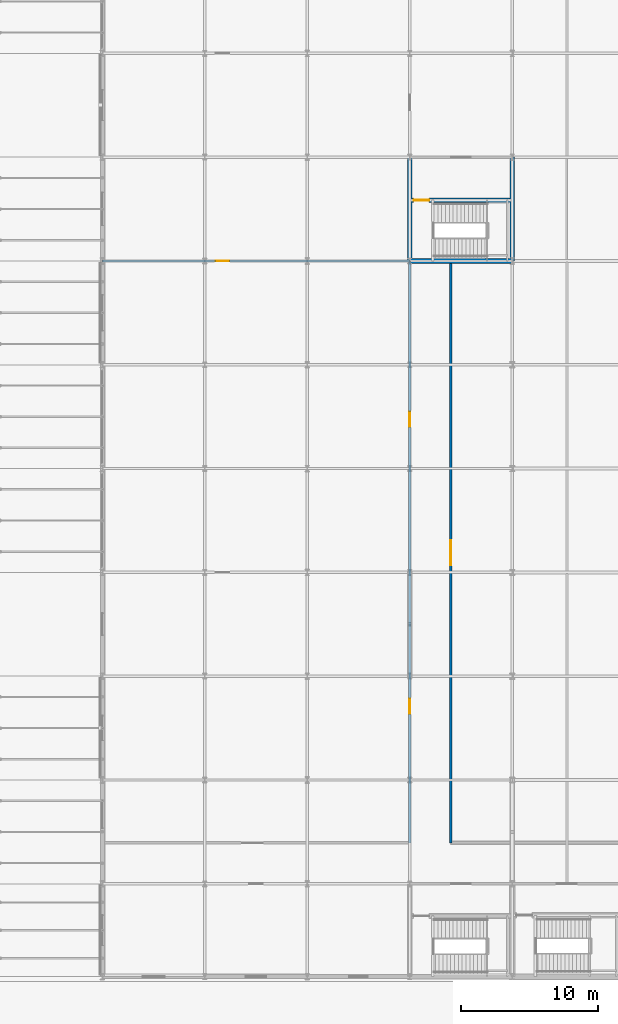
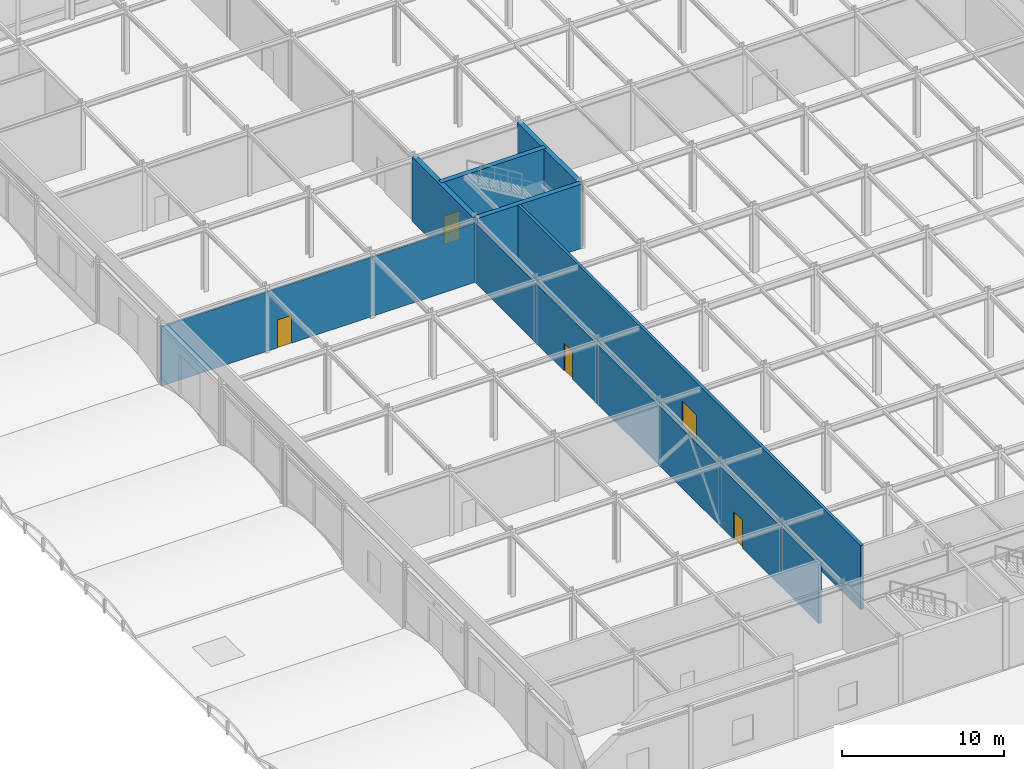
# One storey, part 96 of 113: 7 walls, 5 doors, 5 openings.
"""IFC4 building model written with IfcOpenShell, lengths in metres."""

import ifcopenshell
import ifcopenshell.guid

model = None  # the IFC model being written
_history = None  # IfcOwnerHistory: only IFC2X3 demands one
_inside = {}  # id of a spatial element -> (the spatial element, [elements in it])
_under = {}  # id of a project, library or spatial element -> (it, [spatial elements below it])
_declared = {}  # id of a project -> (the project, [libraries it declares])
_typed = {}  # id of a type object -> (the type object, [elements of that type])
_made_of = {}  # id of a material, layer set ... -> (it, [elements and type objects made of it])


def new_model(schema):
    """Start an empty IFC model of exactly this schema.

    Asked for "IFC4X3", IfcOpenShell would pick the latest addendum, in which some entities
    have other attributes; the version numbers below select the first issue.
    IFC2X3 requires an IfcOwnerHistory on every rooted entity: one is made here for all.
    """
    global model, _history
    if schema == "IFC4X3":
        model = ifcopenshell.file(schema_version=(4, 3, 0, 0))
    else:
        model = ifcopenshell.file(schema=schema)
    _inside.clear()
    _under.clear()
    _declared.clear()
    _typed.clear()
    _made_of.clear()
    _history = None
    if model.schema == "IFC2X3":
        org = make("IfcOrganization", Name="unknown")
        user = make(
            "IfcPersonAndOrganization",
            ThePerson=make("IfcPerson", FamilyName="unknown"),
            TheOrganization=org,
        )
        app = make(
            "IfcApplication",
            ApplicationDeveloper=org,
            Version="unknown",
            ApplicationFullName="unknown",
            ApplicationIdentifier="unknown",
        )
        _history = make(
            "IfcOwnerHistory",
            OwningUser=user,
            OwningApplication=app,
            ChangeAction="ADDED",
            CreationDate=0,
        )
    return model


def make(cls, **values):
    """One entity of the class cls with the attributes given. An attribute that is None is left unset."""
    return model.create_entity(
        cls, **{name: value for name, value in values.items() if value is not None}
    )


def rooted(cls, **values):
    """An entity with a GlobalId (a new one), such as an element, a storey or a relation."""
    return make(cls, GlobalId=ifcopenshell.guid.new(), OwnerHistory=_history, **values)


def si_unit(unit_type, name, prefix=None):
    """IfcSIUnit, for example si_unit("LENGTHUNIT", "METRE", prefix="MILLI")."""
    return make("IfcSIUnit", UnitType=unit_type, Prefix=prefix, Name=name)


def assignment(units):
    """IfcUnitAssignment: the units of a project."""
    return None if units is None else make("IfcUnitAssignment", Units=units)


def point(xyz):
    """IfcCartesianPoint."""
    return None if xyz is None else make("IfcCartesianPoint", Coordinates=xyz)


def direction(xyz):
    """IfcDirection."""
    return None if xyz is None else make("IfcDirection", DirectionRatios=xyz)


def frame(location, z_axis=None, x_axis=None):
    """IfcAxis2Placement3D, a coordinate frame: its origin and axes. An axis left out is left unset."""
    return make(
        "IfcAxis2Placement3D",
        Location=point(location),
        Axis=direction(z_axis),
        RefDirection=direction(x_axis),
    )


def frame_2d(location, x_axis=None):
    """IfcAxis2Placement2D, a coordinate frame in the plane: its origin and x axis."""
    return make(
        "IfcAxis2Placement2D", Location=point(location), RefDirection=direction(x_axis)
    )


def origin():
    """The frame at (0, 0, 0) with its axes left unset."""
    return frame((0.0, 0.0, 0.0))


def place(relative_to, where):
    """IfcLocalPlacement: puts the frame where relative to a parent placement (None: the world)."""
    return make(
        "IfcLocalPlacement", PlacementRelTo=relative_to, RelativePlacement=where
    )


def context(
    kind, dimensions, precision=None, world=None, true_north=None, identifier=None
):
    """IfcGeometricRepresentationContext, for example the 3D "Model" context."""
    return make(
        "IfcGeometricRepresentationContext",
        ContextIdentifier=identifier,
        ContextType=kind,
        CoordinateSpaceDimension=dimensions,
        Precision=precision,
        WorldCoordinateSystem=world,
        TrueNorth=true_north,
    )


def subcontext(parent, identifier, kind, view, scale=None):
    """IfcGeometricRepresentationSubContext, for example "Body" below "Model"."""
    return make(
        "IfcGeometricRepresentationSubContext",
        ContextIdentifier=identifier,
        ContextType=kind,
        ParentContext=parent,
        TargetScale=scale,
        TargetView=view,
    )


def project(units=None, contexts=None):
    """IfcProject with its units and contexts."""
    return rooted(
        "IfcProject",
        Name="project",
        RepresentationContexts=contexts,
        UnitsInContext=assignment(units),
    )


def spatial(cls, under=None, at=None, **own):
    """A site, building, storey or space (cls), placed at a placement, below another one or the project."""
    s = rooted(cls, ObjectPlacement=at, **own)
    if under is not None:
        _under.setdefault(under.id(), (under, []))[1].append(s)
    return s


def profile(cls, at=None, kind="AREA", **sizes):
    """A parametric profile (cls). Its sizes go by their IFC names, for example OverallWidth=200.0."""
    return make(cls, ProfileType=kind, Position=at, **sizes)


def rectangle(**sizes):
    """IfcRectangleProfileDef."""
    return profile("IfcRectangleProfileDef", **sizes)


def extrude(swept, where, along, depth):
    """IfcExtrudedAreaSolid: the profile swept, set in the frame where, extruded along a direction by depth."""
    return make(
        "IfcExtrudedAreaSolid",
        SweptArea=swept,
        Position=where,
        ExtrudedDirection=direction(along),
        Depth=depth,
    )


def shape(context_of_items, identifier, shape_type, items):
    """IfcShapeRepresentation: the items that make up one representation, for example the "Body"."""
    return make(
        "IfcShapeRepresentation",
        ContextOfItems=context_of_items,
        RepresentationIdentifier=identifier,
        RepresentationType=shape_type,
        Items=items,
    )


def material(Name=None, Category=None):
    """IfcMaterial."""
    return make("IfcMaterial", Name=Name, Category=Category)


def layer(
    of_material, thickness, ventilated=None, Name=None, Category=None, Priority=None
):
    """IfcMaterialLayer: one layer of a wall or slab, of a material (None: an air gap)."""
    return make(
        "IfcMaterialLayer",
        Material=of_material,
        LayerThickness=thickness,
        IsVentilated=ventilated,
        Name=Name,
        Category=Category,
        Priority=Priority,
    )


def layer_set(layers, Name=None):
    """IfcMaterialLayerSet."""
    return make("IfcMaterialLayerSet", MaterialLayers=layers, LayerSetName=Name)


def made_of(thing, what):
    """Note that an element or type object is made of a material, layer set ...; save() writes the relation."""
    if what is not None:
        _made_of.setdefault(what.id(), (what, []))[1].append(thing)
    return thing


def type_object(cls, material=None, **own):
    """A type object (cls), such as IfcWallType, which elements share."""
    return made_of(rooted(cls, **own), material)


def element(
    cls,
    number,
    at=None,
    inside=None,
    cuts=None,
    type_object=None,
    material=None,
    context=None,
    identifier="Body",
    shape_type=None,
    held_by="IfcProductDefinitionShape",
    body=None,
    shapes=None,
    **own,
):
    """One element of the class cls, such as IfcWall. Its Tag is "e" and its number.

    at: its placement. inside: the storey or other place that contains it. cuts: it is an
    opening in that element (IfcRelVoidsElement). A single representation is given by context,
    identifier, shape_type and body (its items); several are given by shapes. held_by: the class
    of the entity that holds the representations. save() writes the other relations.
    """
    e = rooted(cls, Tag="e%d" % number, ObjectPlacement=at, **own)
    if body is not None:
        shapes = [shape(context, identifier, shape_type, body)]
    if shapes is not None:
        e.Representation = make(held_by, Representations=shapes)
    if inside is not None:
        _inside.setdefault(inside.id(), (inside, []))[1].append(e)
    if cuts is not None:
        rooted(
            "IfcRelVoidsElement", RelatingBuildingElement=cuts, RelatedOpeningElement=e
        )
    if type_object is not None:
        _typed.setdefault(type_object.id(), (type_object, []))[1].append(e)
    return made_of(e, material)


def fill(opening, filler):
    """IfcRelFillsElement: the door or window that sits in an opening."""
    return rooted(
        "IfcRelFillsElement",
        RelatingOpeningElement=opening,
        RelatedBuildingElement=filler,
    )


def aggregate(whole, parts):
    """IfcRelAggregates: a whole, such as a stair, and the parts it consists of."""
    return rooted("IfcRelAggregates", RelatingObject=whole, RelatedObjects=parts)


def save(model, path):
    """Write the relations noted so far, then the file.

    IfcRelAggregates (storeys below a building ...), IfcRelContainedInSpatialStructure (elements
    in a storey), IfcRelDefinesByType, IfcRelAssociatesMaterial and IfcRelDeclares: one each for
    every whole, place, type object, material and project.
    """
    for whole, parts in _under.values():
        aggregate(whole, parts)
    for where, things in _inside.values():
        rooted(
            "IfcRelContainedInSpatialStructure",
            RelatedElements=things,
            RelatingStructure=where,
        )
    for kind, things in _typed.values():
        rooted("IfcRelDefinesByType", RelatedObjects=things, RelatingType=kind)
    for what, things in _made_of.values():
        rooted("IfcRelAssociatesMaterial", RelatedObjects=things, RelatingMaterial=what)
    for by, libraries in _declared.values():
        rooted("IfcRelDeclares", RelatingContext=by, RelatedDefinitions=libraries)
    model.write(path)


model = new_model("IFC4")

# Units and contexts
model_context = context("Model", 3, precision=1e-05, world=origin(), true_north=direction((0.0, 1.0)))
body_context = subcontext(model_context, "Body", "Model", "MODEL_VIEW")
ifc_project = project(units=[si_unit("LENGTHUNIT", "METRE"), si_unit("AREAUNIT", "SQUARE_METRE"), si_unit("VOLUMEUNIT", "CUBIC_METRE"), si_unit("PLANEANGLEUNIT", "RADIAN"), si_unit("MASSUNIT", "GRAM", prefix="KILO")], contexts=[model_context])

# Site, building, storey
site_placement = place(None, origin())
site = spatial("IfcSite", under=ifc_project, at=site_placement, CompositionType="ELEMENT")
building_placement = place(site_placement, origin())
building = spatial("IfcBuilding", under=site, at=building_placement, Name="Shalkamar Park Central Library", CompositionType="ELEMENT")
storey_placement = place(building_placement, frame((0.0, 0.0, 5.39990234375)))
storey = spatial("IfcBuildingStorey", under=building, at=storey_placement, Name="L02", CompositionType="ELEMENT", Elevation=5.39990234375)

# Wall, openings, doors
ifc_material_1 = material(Name="Fire-rated corridor partition wall", Category="masonry")
ifc_layer_1 = layer(ifc_material_1, 0.199951171875)
ifc_layer_set_1 = layer_set([ifc_layer_1], Name="CorridorFireWall_200")
wall_type_1 = type_object("IfcWallType", Name="Corridor Fire Wall 200", PredefinedType="PARTITIONING", material=ifc_layer_set_1)
wall_1_placement = place(storey_placement, frame((157.5, 258.199951171875, 0.0), z_axis=(0.0, 0.0, 1.0), x_axis=(0.0, 1.0, 0.0)))
wall_1 = element("IfcWall", 1, at=wall_1_placement, inside=storey, type_object=wall_type_1, Name="Interior Partition WL-INT-L02-019", PredefinedType="PARTITIONING", context=body_context, shape_type="SweptSolid", body=[
    extrude(rectangle(XDim=42.60009765625, YDim=0.199951171875, at=frame_2d((21.300048828125, 0.0))), origin(), (0.0, 0.0, 1.0), 4.498046875),
])
opening_1_placement = place(wall_1_placement, frame((9.449951171875, 0.0, 0.0)))
opening_1 = element("IfcOpeningElement", 2, at=opening_1_placement, cuts=wall_1, Name="Opening DR-L02-019", PredefinedType="OPENING", context=body_context, shape_type="SweptSolid", body=[
    extrude(rectangle(XDim=1.10009765625, YDim=2.10009765625, at=frame_2d((0.550048828125, 1.050048828125))), frame((0.0, 0.11474609375, 0.0), z_axis=(0.0, -1.0, 0.0), x_axis=(1.0, 0.0, 0.0)), (0.0, 0.0, 1.0), 0.229736328125),
])
opening_2_placement = place(wall_1_placement, frame((30.449951171875, 0.0, 0.0)))
opening_2 = element("IfcOpeningElement", 3, at=opening_2_placement, cuts=wall_1, Name="Opening DR-L02-020", PredefinedType="OPENING", context=body_context, shape_type="SweptSolid", body=[
    extrude(rectangle(XDim=1.10009765625, YDim=2.10009765625, at=frame_2d((0.550048828125, 1.050048828125))), frame((0.0, 0.11474609375, 0.0), z_axis=(0.0, -1.0, 0.0), x_axis=(1.0, 0.0, 0.0)), (0.0, 0.0, 1.0), 0.229736328125),
])
ifc_material_2 = material(Name="Steel S355", Category="steel")
door_type_1 = type_object("IfcDoorType", Name="Interior Door Single 1100x2100", OperationType="NOTDEFINED", PredefinedType="DOOR", material=ifc_material_2)
door_1_placement = place(opening_1_placement, origin())
door_1 = element("IfcDoor", 4, at=door_1_placement, inside=storey, type_object=door_type_1, Name="Cataloguing South Office Door", OperationType="SINGLE_SWING_LEFT", OverallHeight=2.10009765625, OverallWidth=1.10009765625, PredefinedType="DOOR", context=body_context, shape_type="SweptSolid", body=[
    extrude(rectangle(XDim=1.10009765625, YDim=2.10009765625, at=frame_2d((0.550048828125, 1.050048828125))), frame((0.0, 0.02490234375, 0.0), z_axis=(0.0, -1.0, 0.0), x_axis=(1.0, 0.0, 0.0)), (0.0, 0.0, 1.0), 0.050048828125),
])
fill(opening_1, door_1)
door_2_placement = place(opening_2_placement, origin())
door_2 = element("IfcDoor", 5, at=door_2_placement, inside=storey, type_object=door_type_1, Name="Cataloguing Central Office Door", OperationType="SINGLE_SWING_RIGHT", OverallHeight=2.10009765625, OverallWidth=1.10009765625, PredefinedType="DOOR", context=body_context, shape_type="SweptSolid", body=[
    extrude(rectangle(XDim=1.10009765625, YDim=2.10009765625, at=frame_2d((0.550048828125, 1.050048828125))), frame((0.0, 0.02490234375, 0.0), z_axis=(0.0, -1.0, 0.0), x_axis=(1.0, 0.0, 0.0)), (0.0, 0.0, 1.0), 0.050048828125),
])
fill(opening_2, door_2)

# Wall, opening, door
wall_2_placement = place(storey_placement, frame((160.5, 258.199951171875, 0.0), z_axis=(0.0, 0.0, 1.0), x_axis=(0.0, 1.0, 0.0)))
wall_2 = element("IfcWall", 6, at=wall_2_placement, inside=storey, type_object=wall_type_1, Name="Interior Partition WL-INT-L02-021", PredefinedType="PARTITIONING", context=body_context, shape_type="SweptSolid", body=[
    extrude(rectangle(XDim=42.60009765625, YDim=0.199951171875, at=frame_2d((21.300048828125, 0.0))), origin(), (0.0, 0.0, 1.0), 4.860107421875),
])
opening_3_placement = place(wall_2_placement, frame((20.340087890625, 0.0, 0.0)))
opening_3 = element("IfcOpeningElement", 7, at=opening_3_placement, cuts=wall_2, Name="Opening DR-L02-023", PredefinedType="OPENING", context=body_context, shape_type="SweptSolid", body=[
    extrude(rectangle(XDim=1.800048828125, YDim=2.39990234375, at=frame_2d((0.89990234375, 1.199951171875))), frame((0.0, 0.11474609375, 0.0), z_axis=(0.0, -1.0, 0.0), x_axis=(1.0, 0.0, 0.0)), (0.0, 0.0, 1.0), 0.229736328125),
])
door_type_2 = type_object("IfcDoorType", Name="Interior Door Double 1800x2400", OperationType="DOUBLE_DOOR_SINGLE_SWING", PredefinedType="DOOR", material=ifc_material_2)
door_3_placement = place(opening_3_placement, frame((1.800048828125, 0.0, 0.0), z_axis=(0.0, 0.0, 1.0), x_axis=(-1.0, 0.0, 0.0)))
door_3 = element("IfcDoor", 8, at=door_3_placement, inside=storey, type_object=door_type_2, Name="Open Reference Stacks West Door", OperationType="DOUBLE_DOOR_SINGLE_SWING", OverallHeight=2.39990234375, OverallWidth=1.800048828125, PredefinedType="DOOR", context=body_context, shape_type="SweptSolid", body=[
    extrude(rectangle(XDim=1.800048828125, YDim=2.39990234375, at=frame_2d((0.89990234375, 1.199951171875))), frame((0.0, 0.02490234375, 0.0), z_axis=(0.0, -1.0, 0.0), x_axis=(1.0, 0.0, 0.0)), (0.0, 0.0, 1.0), 0.050048828125),
])
fill(opening_3, door_3)

# Walls
ifc_material_3 = material(Name="Concrete C40/50", Category="concrete")
ifc_layer_2 = layer(ifc_material_3, 0.35009765625)
ifc_layer_set_2 = layer_set([ifc_layer_2], Name="Concrete C40/50")
wall_type_2 = type_object("IfcWallType", Name="Podium Core Shear Wall 350", PredefinedType="SHEAR", material=ifc_layer_set_2)
wall_3_placement = place(storey_placement, frame((157.5, 300.800048828125, 0.0), z_axis=(0.0, 0.0, 1.0), x_axis=(1.0, 0.0, 0.0)))
element("IfcWall", 9, at=wall_3_placement, inside=storey, type_object=wall_type_2, Name="CORE-P2 South Shear Wall (L02)", PredefinedType="SHEAR", context=body_context, shape_type="SweptSolid", body=[
    extrude(rectangle(XDim=7.5, YDim=0.35009765625, at=frame_2d((3.75, 0.0))), origin(), (0.0, 0.0, 1.0), 4.860107421875),
])
for number, where, z_axis, x_axis, name in (
    (10, (157.5, 300.800048828125, 0.0), (0.0, 0.0, 1.0), (0.0, 1.0, 0.0), "CORE-P2 West Shear Wall (L02)"),
    (11, (165.0, 300.800048828125, 0.0), (0.0, 0.0, 1.0), (0.0, 1.0, 0.0), "CORE-P2 East Shear Wall (L02)"),
):
    element("IfcWall", number, at=place(storey_placement, frame(where, z_axis=z_axis, x_axis=x_axis)), inside=storey, type_object=wall_type_2, Name=name, PredefinedType="SHEAR", context=body_context, shape_type="SweptSolid", body=[
        extrude(rectangle(XDim=7.599853515625, YDim=0.35009765625, at=frame_2d((3.7998046875, 0.0))), origin(), (0.0, 0.0, 1.0), 4.860107421875),
    ])

# Wall, opening, door
wall_4_placement = place(storey_placement, frame((157.5, 305.25, 0.0), z_axis=(0.0, 0.0, 1.0), x_axis=(1.0, 0.0, 0.0)))
wall_4 = element("IfcWall", 12, at=wall_4_placement, inside=storey, type_object=wall_type_2, Name="CORE-P2 Stairwell Wall (L02)", PredefinedType="SHEAR", context=body_context, shape_type="SweptSolid", body=[
    extrude(rectangle(XDim=7.5, YDim=0.35009765625, at=frame_2d((3.75, 0.0))), origin(), (0.0, 0.0, 1.0), 4.860107421875),
])
opening_4_placement = place(wall_4_placement, frame((0.27490234375, 0.0, 0.0)))
opening_4 = element("IfcOpeningElement", 13, at=opening_4_placement, cuts=wall_4, Name="Opening DR-ST-P2-L02-IN", PredefinedType="OPENING", context=body_context, shape_type="SweptSolid", body=[
    extrude(rectangle(XDim=1.14990234375, YDim=2.14990234375, at=frame_2d((0.574951171875, 1.074951171875))), frame((0.0, 0.18994140625, 0.0), z_axis=(0.0, -1.0, 0.0), x_axis=(1.0, 0.0, 0.0)), (0.0, 0.0, 1.0), 0.3798828125),
])
door_type_3 = type_object("IfcDoorType", Name="Stair Core Exit Door 1150x2150", OperationType="NOTDEFINED", PredefinedType="DOOR", material=ifc_material_2)
door_4_placement = place(opening_4_placement, frame((1.14990234375, 0.0, 0.0), z_axis=(0.0, 0.0, 1.0), x_axis=(-1.0, 0.0, 0.0)))
door_4 = element("IfcDoor", 14, at=door_4_placement, inside=storey, type_object=door_type_3, Name="Protected Stair ST-P2 Exit Door (L02)", OperationType="SINGLE_SWING_RIGHT", OverallHeight=2.14990234375, OverallWidth=1.14990234375, PredefinedType="DOOR", context=body_context, shape_type="SweptSolid", body=[
    extrude(rectangle(XDim=1.14990234375, YDim=2.14990234375, at=frame_2d((0.574951171875, 1.074951171875))), frame((0.0, 0.02490234375, 0.0), z_axis=(0.0, -1.0, 0.0), x_axis=(1.0, 0.0, 0.0)), (0.0, 0.0, 1.0), 0.050048828125),
])
fill(opening_4, door_4)

ifc_material_4 = material(Name="Lightweight acoustic stud partition", Category="masonry")
ifc_layer_3 = layer(ifc_material_4, 0.1201171875)
ifc_layer_set_3 = layer_set([ifc_layer_3], Name="StandardPartition_120")
wall_type_3 = type_object("IfcWallType", Name="Standard Partition 120", PredefinedType="PARTITIONING", material=ifc_layer_set_3)
wall_5_placement = place(storey_placement, frame((135.0, 300.800048828125, 0.0), z_axis=(0.0, 0.0, 1.0), x_axis=(1.0, 0.0, 0.0)))
wall_5 = element("IfcWall", 15, at=wall_5_placement, inside=storey, type_object=wall_type_3, Name="Interior Partition WL-INT-L02-023", PredefinedType="PARTITIONING", context=body_context, shape_type="SweptSolid", body=[
    extrude(rectangle(XDim=22.5, YDim=0.1201171875, at=frame_2d((11.25, 0.0))), origin(), (0.0, 0.0, 1.0), 4.488037109375),
])
opening_5_placement = place(wall_5_placement, frame((8.300048828125, 0.0, 0.0)))
opening_5 = element("IfcOpeningElement", 16, at=opening_5_placement, cuts=wall_5, Name="Opening DR-L02-025", PredefinedType="OPENING", context=body_context, shape_type="SweptSolid", body=[
    extrude(rectangle(XDim=1.0, YDim=2.10009765625, at=frame_2d((0.5, 1.050048828125))), frame((0.0, 0.074951171875, 0.0), z_axis=(0.0, -1.0, 0.0), x_axis=(1.0, 0.0, 0.0)), (0.0, 0.0, 1.0), 0.14990234375),
])
door_type_4 = type_object("IfcDoorType", Name="Interior Door Single 1000x2100", OperationType="NOTDEFINED", PredefinedType="DOOR", material=ifc_material_2)
door_5_placement = place(opening_5_placement, frame((1.0, 0.0, 0.0), z_axis=(0.0, 0.0, 1.0), x_axis=(-1.0, 0.0, 0.0)))
door_5 = element("IfcDoor", 17, at=door_5_placement, inside=storey, type_object=door_type_4, Name="Cataloguing Suite Interconnect Door", OperationType="SINGLE_SWING_RIGHT", OverallHeight=2.10009765625, OverallWidth=1.0, PredefinedType="DOOR", context=body_context, shape_type="SweptSolid", body=[
    extrude(rectangle(XDim=1.0, YDim=2.10009765625, at=frame_2d((0.5, 1.050048828125))), frame((0.0, 0.02490234375, 0.0), z_axis=(0.0, -1.0, 0.0), x_axis=(1.0, 0.0, 0.0)), (0.0, 0.0, 1.0), 0.050048828125),
])
fill(opening_5, door_5)

save(model, "model.ifc")
